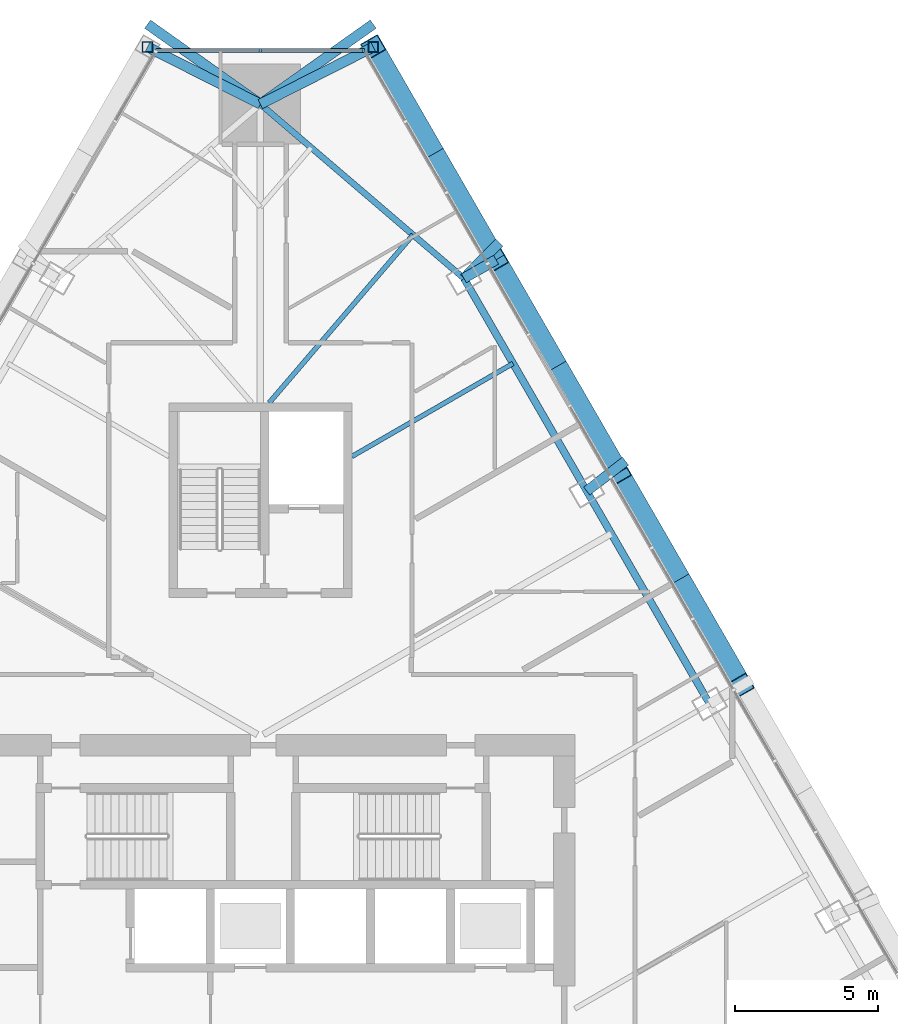
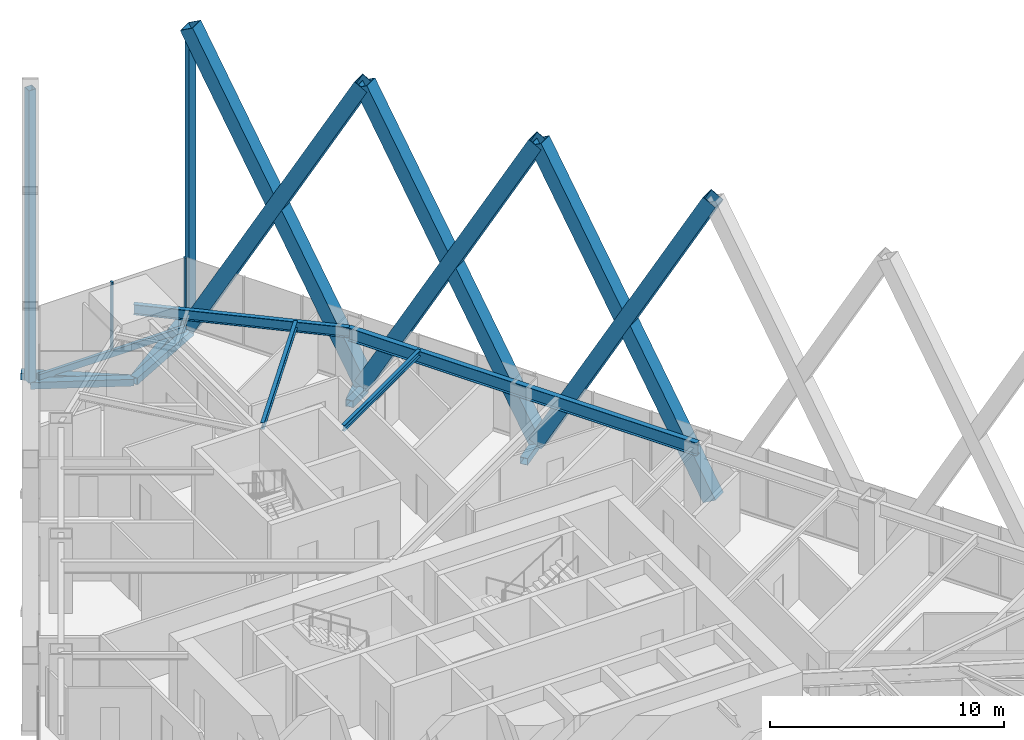
# One storey, part 15 of 23: 18 members, 4 beams, 1 element without a shape of its own.
"""IFC4 building model written with IfcOpenShell, lengths in metres."""

from ifc_helpers import new_model, si_unit, direction, frame, origin, origin_2d, place, context, subcontext, project, spatial, rectangle, hollow_rectangle, i_section, extrude, material, layer, layer_set, material_profile, profile_set, type_object, element, aggregate, save


model = new_model("IFC4")

# Units and contexts
model_context = context("Model", 3, precision=1e-05, world=origin(), true_north=direction((0.0, 1.0)))
body_context = subcontext(model_context, "Body", "Model", "MODEL_VIEW")
ifc_project = project(units=[si_unit("LENGTHUNIT", "METRE"), si_unit("AREAUNIT", "SQUARE_METRE"), si_unit("VOLUMEUNIT", "CUBIC_METRE"), si_unit("PLANEANGLEUNIT", "RADIAN"), si_unit("MASSUNIT", "GRAM", prefix="KILO")], contexts=[model_context])

# Site, building, storey
site_placement = place(None, origin())
site = spatial("IfcSite", under=ifc_project, at=site_placement, CompositionType="ELEMENT")
building_placement = place(site_placement, origin())
building = spatial("IfcBuilding", under=site, at=building_placement, Name="Firuza Gate Tower and Library", CompositionType="ELEMENT")
storey_placement = place(building_placement, frame((0.0, 0.0, 202.60009765625)))
storey = spatial("IfcBuildingStorey", under=building, at=storey_placement, Name="L47", CompositionType="ELEMENT", Elevation=202.60009765625)

# Members
ifc_material_1 = material(Name="Steel S355", Category="steel")
ifc_material_profile_1 = material_profile(ifc_material_1, hollow_rectangle(XDim=0.699951171875, YDim=0.699951171875, WallThickness=0.030029296875, at=origin_2d()))
ifc_profile_set_1 = profile_set([ifc_material_profile_1], Name="Steel S355")
member_type_1 = type_object("IfcMemberType", Name="BU700x700x30 Lattice brace", PredefinedType="BRACE", material=ifc_profile_set_1)
for number, where, z_axis, x_axis, name in (
    (1, (91.8369140625, 84.720947265625, 0.0), (-0.241257548081, 0.417869039528, 0.875888269871), (-0.866024734654, -0.500001158966, 0.0), "Lattice brace E 11.4R"),
    (2, (87.5400390625, 92.163330078125, 0.0), (0.241257548081, -0.417869039528, 0.875888269871), (0.866024734654, 0.500001158966, 0.0), "Lattice brace E 11.4L"),
    (3, (87.5400390625, 92.163330078125, 0.0), (-0.241257548081, 0.417869039528, 0.875888269871), (-0.866024734654, -0.500001158966, 0.0), "Lattice brace E 11.5R"),
    (4, (83.2431640625, 99.605712890625, 0.0), (0.241257548081, -0.417869039528, 0.875888269871), (0.866024734654, 0.500001158966, 0.0), "Lattice brace E 11.5L"),
    (5, (83.2431640625, 99.605712890625, 0.0), (-0.241257548081, 0.417869039528, 0.875888269871), (-0.866024734654, -0.500001158966, 0.0), "Lattice brace E 11.6R"),
    (6, (78.9462890625, 107.048095703125, 0.0), (0.241257548081, -0.417869039528, 0.875888269871), (0.866024734654, 0.500001158966, 0.0), "Lattice brace E 11.6L"),
):
    element("IfcMember", number, at=place(storey_placement, frame(where, z_axis=z_axis, x_axis=x_axis)), inside=storey, type_object=member_type_1, Name=name, PredefinedType="BRACE", context=body_context, shape_type="SweptSolid", body=[
        extrude(hollow_rectangle(XDim=0.699951171875, YDim=0.699951171875, WallThickness=0.030029296875, at=origin_2d()), origin(), (0.0, 0.0, 1.0), 17.810302734375),
    ])

# Curtain wall, members
ifc_material_2 = material(Name="Aluminium 6063-T6", Category="aluminium")
ifc_layer = layer(ifc_material_2, 0.14990234375)
ifc_layer_set = layer_set([ifc_layer], Name="Corner curtain wall, chamfers")
curtain_wall_type = type_object("IfcCurtainWallType", Name="Corner curtain wall, chamfers", PredefinedType="NOTDEFINED", material=ifc_layer_set)
curtain_wall_placement = place(storey_placement, origin())
curtain_wall = element("IfcCurtainWall", 7, at=curtain_wall_placement, inside=storey, type_object=curtain_wall_type, Name="CW4 L47 N corner", PredefinedType="NOTDEFINED")
ifc_material_3 = material(Name="Aluminium 6063-T6", Category="aluminium")
ifc_material_profile_2 = material_profile(ifc_material_3, rectangle(XDim=0.14990234375, YDim=0.080078125, at=origin_2d()))
ifc_profile_set_2 = profile_set([ifc_material_profile_2], Name="Aluminium 6063-T6")
member_type_2 = type_object("IfcMemberType", Name="Curtain wall mullion 80x150", PredefinedType="MULLION", material=ifc_profile_set_2)
member_1_placement = place(storey_placement, frame((78.603271484375, 106.923095703125, 0.14990234375), z_axis=(0.0, 0.0, 1.0), x_axis=(0.0, -1.0, 0.0)))
member_1 = element("IfcMember", 8, at=member_1_placement, type_object=member_type_2, Name="Mullion", PredefinedType="MULLION", context=body_context, shape_type="SweptSolid", body=[
    extrude(rectangle(XDim=0.14990234375, YDim=0.080078125, at=origin_2d()), origin(), (0.0, 0.0, 1.0), 3.550048828125),
])
member_2_placement = place(storey_placement, frame((75.0, 106.923095703125, 0.14990234375), z_axis=(0.0, 0.0, 1.0), x_axis=(0.0, -1.0, 0.0)))
member_2 = element("IfcMember", 9, at=member_2_placement, type_object=member_type_2, Name="Mullion", PredefinedType="MULLION", context=body_context, shape_type="SweptSolid", body=[
    extrude(rectangle(XDim=0.14990234375, YDim=0.080078125, at=origin_2d()), origin(), (0.0, 0.0, 1.0), 3.550048828125),
])
ifc_material_4 = material(Name="Aluminium 6063-T6", Category="aluminium")
ifc_material_profile_3 = material_profile(ifc_material_4, rectangle(XDim=0.14990234375, YDim=0.35009765625, at=origin_2d()))
ifc_profile_set_3 = profile_set([ifc_material_profile_3], Name="Aluminium 6063-T6")
member_type_3 = type_object("IfcMemberType", Name="Curtain wall transom 350x150", PredefinedType="USERDEFINED", material=ifc_profile_set_3)
member_3_placement = place(storey_placement, frame((78.643310546875, 106.923095703125, -0.025146484375), z_axis=(-1.0, 0.0, 0.0), x_axis=(0.0, -1.0, 0.0)))
member_3 = element("IfcMember", 10, at=member_3_placement, type_object=member_type_3, Name="Transom", ObjectType="TRANSOM", PredefinedType="USERDEFINED", context=body_context, shape_type="SweptSolid", body=[
    extrude(rectangle(XDim=0.14990234375, YDim=0.35009765625, at=origin_2d()), origin(), (0.0, 0.0, 1.0), 7.28662109375),
])
aggregate(curtain_wall, [member_1, member_2, member_3])

# Members
ifc_material_5 = material(Name="Steel S355", Category="steel")
ifc_material_profile_4 = material_profile(ifc_material_5, hollow_rectangle(XDim=0.355712890625, YDim=0.355712890625, WallThickness=0.014892578125, at=origin_2d()))
ifc_profile_set_4 = profile_set([ifc_material_profile_4], Name="Steel S355")
member_type_4 = type_object("IfcMemberType", Name="HSS356x356x16 Lattice corner stile", PredefinedType="BRACE", material=ifc_profile_set_4)
for number, where, z_axis, x_axis, name in (
    (11, (78.9462890625, 107.048095703125, -0.14013671875), (0.0, 0.0, 1.0), (1.0, 0.0, 0.0), "Lattice corner stile E 11.B"),
    (12, (71.0537109375, 107.048095703125, -0.14013671875), (0.0, 0.0, 1.0), (1.0, 0.0, 0.0), "Lattice corner stile W 11.A"),
):
    element("IfcMember", number, at=place(storey_placement, frame(where, z_axis=z_axis, x_axis=x_axis)), inside=storey, type_object=member_type_4, Name=name, PredefinedType="BRACE", context=body_context, shape_type="SweptSolid", body=[
        extrude(hollow_rectangle(XDim=0.355712890625, YDim=0.355712890625, WallThickness=0.014892578125, at=origin_2d()), origin(), (0.0, 0.0, 1.0), 15.239990234375),
    ])
ifc_material_6 = material(Name="Steel S355", Category="steel")
ifc_material_profile_5 = material_profile(ifc_material_6, hollow_rectangle(XDim=0.355712890625, YDim=0.355712890625, WallThickness=0.014892578125, at=origin_2d()))
ifc_profile_set_5 = profile_set([ifc_material_profile_5], Name="Steel S355")
member_type_5 = type_object("IfcMemberType", Name="HSS356x356x16 Lattice node tie", PredefinedType="BRACE", material=ifc_profile_set_5)
member_4_placement = place(storey_placement, frame((75.0, 105.048095703125, -0.320068359375), z_axis=(0.815845890214, 0.578269386549, 0.0), x_axis=(-0.578269386549, 0.815845890214, 0.0)))
element("IfcMember", 13, at=member_4_placement, inside=storey, type_object=member_type_5, Name="Lattice node tie E L47 229", PredefinedType="BRACE", context=body_context, shape_type="SweptSolid", body=[
    extrude(hollow_rectangle(XDim=0.355712890625, YDim=0.355712890625, WallThickness=0.014892578125, at=origin_2d()), origin(), (0.0, 0.0, 1.0), 4.837158203125),
])
member_5_placement = place(storey_placement, frame((75.0, 105.048095703125, -0.320068359375), z_axis=(0.891985934506, 0.452063151168, 0.0), x_axis=(-0.452063151168, 0.891985934506, 0.0)))
element("IfcMember", 14, at=member_5_placement, inside=storey, type_object=member_type_5, Name="Lattice node tie E L47 230", PredefinedType="BRACE", context=body_context, shape_type="SweptSolid", body=[
    extrude(hollow_rectangle(XDim=0.355712890625, YDim=0.355712890625, WallThickness=0.014892578125, at=origin_2d()), origin(), (0.0, 0.0, 1.0), 4.424072265625),
])
member_6_placement = place(storey_placement, frame((82.117431640625, 98.95556640625, -0.320068359375), z_axis=(0.705092541006, 0.709115299946, 0.0), x_axis=(-0.709115299946, 0.705092541006, 0.0)))
element("IfcMember", 15, at=member_6_placement, inside=storey, type_object=member_type_5, Name="Lattice node tie E L47 231", PredefinedType="BRACE", context=body_context, shape_type="SweptSolid", body=[
    extrude(hollow_rectangle(XDim=0.355712890625, YDim=0.355712890625, WallThickness=0.014892578125, at=origin_2d()), origin(), (0.0, 0.0, 1.0), 1.760009765625),
])
member_7_placement = place(storey_placement, frame((82.117431640625, 98.95556640625, -0.320068359375), z_axis=(0.86595725628, 0.500118016368, 0.0), x_axis=(-0.500118016368, 0.86595725628, 0.0)))
element("IfcMember", 16, at=member_7_placement, inside=storey, type_object=member_type_5, Name="Lattice node tie E L47 232", PredefinedType="BRACE", context=body_context, shape_type="SweptSolid", body=[
    extrude(hollow_rectangle(XDim=0.355712890625, YDim=0.355712890625, WallThickness=0.014892578125, at=origin_2d()), origin(), (0.0, 0.0, 1.0), 1.300048828125),
])
member_8_placement = place(storey_placement, frame((86.414306640625, 91.51318359375, -0.320068359375), z_axis=(0.791059417133, 0.611739322396, 0.0), x_axis=(-0.611739322396, 0.791059417133, 0.0)))
element("IfcMember", 17, at=member_8_placement, inside=storey, type_object=member_type_5, Name="Lattice node tie E L47 233", PredefinedType="BRACE", context=body_context, shape_type="SweptSolid", body=[
    extrude(hollow_rectangle(XDim=0.355712890625, YDim=0.355712890625, WallThickness=0.014892578125, at=origin_2d()), origin(), (0.0, 0.0, 1.0), 1.714111328125),
])
member_9_placement = place(storey_placement, frame((75.0, 105.048095703125, -0.320068359375), z_axis=(-0.815845890214, 0.578269386549, 0.0), x_axis=(-0.578269386549, -0.815845890214, 0.0)))
element("IfcMember", 18, at=member_9_placement, inside=storey, type_object=member_type_5, Name="Lattice node tie W L47 260", PredefinedType="BRACE", context=body_context, shape_type="SweptSolid", body=[
    extrude(hollow_rectangle(XDim=0.355712890625, YDim=0.355712890625, WallThickness=0.014892578125, at=origin_2d()), origin(), (0.0, 0.0, 1.0), 4.837158203125),
])
member_10_placement = place(storey_placement, frame((75.0, 105.048095703125, -0.320068359375), z_axis=(-0.891985934506, 0.452063151168, 0.0), x_axis=(-0.452063151168, -0.891985934506, 0.0)))
element("IfcMember", 19, at=member_10_placement, inside=storey, type_object=member_type_5, Name="Lattice node tie W L47 261", PredefinedType="BRACE", context=body_context, shape_type="SweptSolid", body=[
    extrude(hollow_rectangle(XDim=0.355712890625, YDim=0.355712890625, WallThickness=0.014892578125, at=origin_2d()), origin(), (0.0, 0.0, 1.0), 4.424072265625),
])

# Beams
ifc_material_7 = material(Name="Steel S355", Category="steel")
ifc_material_profile_6 = material_profile(ifc_material_7, i_section(OverallWidth=0.1650390625, OverallDepth=0.31005859375, WebThickness=0.005859375, FlangeThickness=0.009765625, at=origin_2d()))
ifc_profile_set_6 = profile_set([ifc_material_profile_6], Name="Steel S355")
beam_type_1 = type_object("IfcBeamType", Name="W310x39 Floor beam", PredefinedType="JOIST", material=ifc_profile_set_6)
beam_1_placement = place(storey_placement, frame((83.836181640625, 95.978759765625, 3.544921875), z_axis=(-0.866020665746, -0.500008206434, 0.0), x_axis=(0.500008206434, -0.866020665746, 0.0)))
element("IfcBeam", 20, at=beam_1_placement, inside=storey, type_object=beam_type_1, Name="Floor beam L47 s54", PredefinedType="JOIST", context=body_context, shape_type="SweptSolid", body=[
    extrude(i_section(OverallWidth=0.1650390625, OverallDepth=0.31005859375, WebThickness=0.005859375, FlangeThickness=0.009765625, at=origin_2d()), origin(), (0.0, 0.0, 1.0), 6.50830078125),
])
ifc_material_8 = material(Name="Steel S355", Category="steel")
ifc_material_profile_7 = material_profile(ifc_material_8, i_section(OverallWidth=0.1708984375, OverallDepth=0.35498046875, WebThickness=0.007080078125, FlangeThickness=0.01171875, at=origin_2d()))
ifc_profile_set_7 = profile_set([ifc_material_profile_7], Name="Steel S355")
beam_type_2 = type_object("IfcBeamType", Name="W360x51 Floor beam", PredefinedType="JOIST", material=ifc_profile_set_7)
beam_2_placement = place(storey_placement, frame((80.338134765625, 100.478759765625, 3.5224609375), z_axis=(-0.650297579559, -0.759679575887, 0.0), x_axis=(0.759679575887, -0.650297579559, 0.0)))
element("IfcBeam", 21, at=beam_2_placement, inside=storey, type_object=beam_type_2, Name="Floor beam L47 s60", PredefinedType="JOIST", context=body_context, shape_type="SweptSolid", body=[
    extrude(i_section(OverallWidth=0.1708984375, OverallDepth=0.35498046875, WebThickness=0.007080078125, FlangeThickness=0.01171875, at=origin_2d()), origin(), (0.0, 0.0, 1.0), 7.73828125),
])
ifc_material_9 = material(Name="Steel S355", Category="steel")
ifc_material_profile_8 = material_profile(ifc_material_9, i_section(OverallWidth=0.212890625, OverallDepth=0.5390625, WebThickness=0.01171875, FlangeThickness=0.018798828125, at=origin_2d()))
ifc_profile_set_8 = profile_set([ifc_material_profile_8], Name="Steel S355")
beam_type_3 = type_object("IfcBeamType", Name="W530x109 Edge beam", PredefinedType="SPANDREL", material=ifc_profile_set_8)
beam_3_placement = place(storey_placement, frame((82.117431640625, 98.95556640625, 3.430419921875), z_axis=(-0.759685024289, 0.650291214665, 0.0), x_axis=(-0.650291214665, -0.759685024289, 0.0)))
element("IfcBeam", 22, at=beam_3_placement, inside=storey, type_object=beam_type_3, Name="Edge beam L47 e60", PredefinedType="SPANDREL", context=body_context, shape_type="SweptSolid", body=[
    extrude(i_section(OverallWidth=0.212890625, OverallDepth=0.5390625, WebThickness=0.01171875, FlangeThickness=0.018798828125, at=origin_2d()), origin(), (0.0, 0.0, 1.0), 9.368896484375),
])
ifc_material_10 = material(Name="Steel S355", Category="steel")
ifc_material_profile_9 = material_profile(ifc_material_10, i_section(OverallWidth=0.2529296875, OverallDepth=0.677978515625, WebThickness=0.01171875, FlangeThickness=0.016357421875, at=origin_2d()))
ifc_profile_set_9 = profile_set([ifc_material_profile_9], Name="Steel S355")
beam_type_4 = type_object("IfcBeamType", Name="W690x125 Edge beam", PredefinedType="SPANDREL", material=ifc_profile_set_9)
beam_4_placement = place(storey_placement, frame((90.711181640625, 84.07080078125, 3.36083984375), z_axis=(-0.500001158966, 0.866024734654, 0.0), x_axis=(-0.866024734654, -0.500001158966, 0.0)))
element("IfcBeam", 23, at=beam_4_placement, inside=storey, type_object=beam_type_4, Name="Edge beam L47 e52", PredefinedType="SPANDREL", context=body_context, shape_type="SweptSolid", body=[
    extrude(i_section(OverallWidth=0.2529296875, OverallDepth=0.677978515625, WebThickness=0.01171875, FlangeThickness=0.016357421875, at=origin_2d()), origin(), (0.0, 0.0, 1.0), 17.1875),
])

save(model, "model.ifc")
